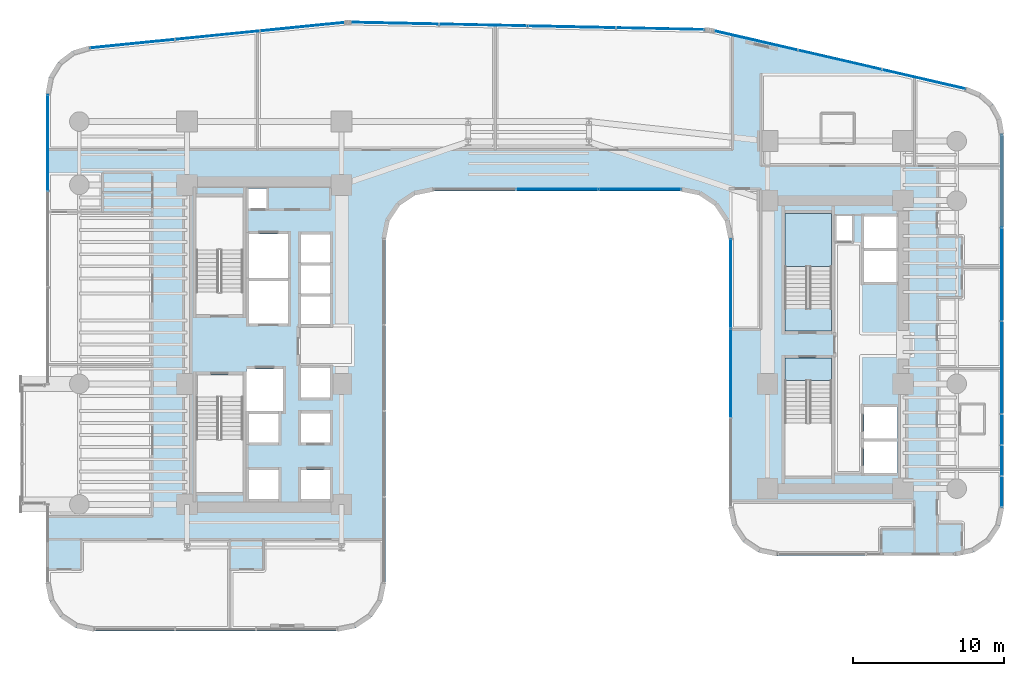
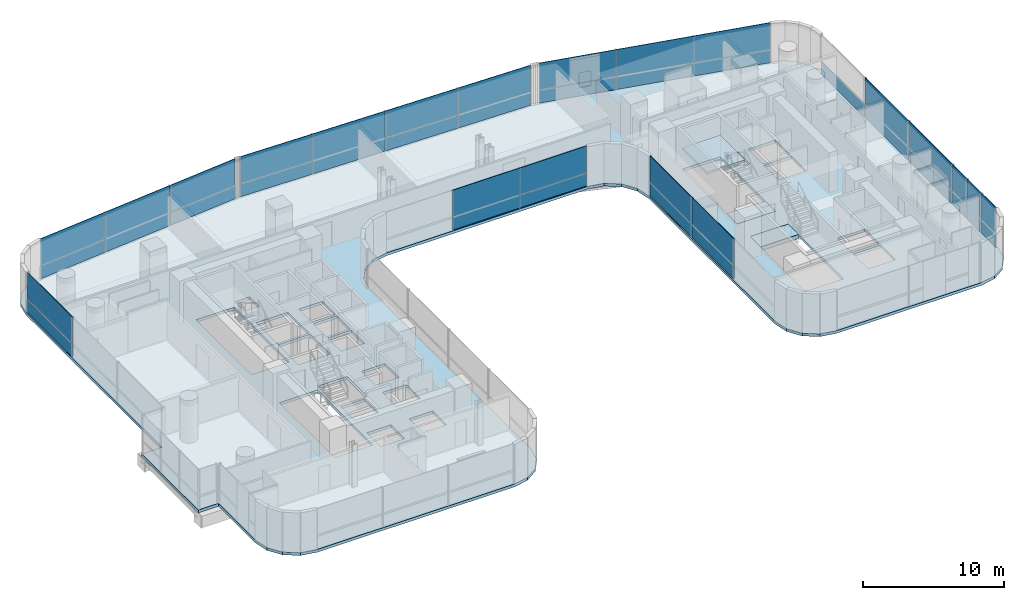
# One storey, part 29 of 40: 31 plates, 4 slabs, 8 elements without a shape of their own.
"""IFC4 building model written with IfcOpenShell, lengths in metres."""

import ifcopenshell
import ifcopenshell.guid

model = None  # the IFC model being written
_history = None  # IfcOwnerHistory: only IFC2X3 demands one
_inside = {}  # id of a spatial element -> (the spatial element, [elements in it])
_under = {}  # id of a project, library or spatial element -> (it, [spatial elements below it])
_declared = {}  # id of a project -> (the project, [libraries it declares])
_typed = {}  # id of a type object -> (the type object, [elements of that type])
_made_of = {}  # id of a material, layer set ... -> (it, [elements and type objects made of it])


def new_model(schema):
    """Start an empty IFC model of exactly this schema.

    Asked for "IFC4X3", IfcOpenShell would pick the latest addendum, in which some entities
    have other attributes; the version numbers below select the first issue.
    IFC2X3 requires an IfcOwnerHistory on every rooted entity: one is made here for all.
    """
    global model, _history
    if schema == "IFC4X3":
        model = ifcopenshell.file(schema_version=(4, 3, 0, 0))
    else:
        model = ifcopenshell.file(schema=schema)
    _inside.clear()
    _under.clear()
    _declared.clear()
    _typed.clear()
    _made_of.clear()
    _history = None
    if model.schema == "IFC2X3":
        org = make("IfcOrganization", Name="unknown")
        user = make(
            "IfcPersonAndOrganization",
            ThePerson=make("IfcPerson", FamilyName="unknown"),
            TheOrganization=org,
        )
        app = make(
            "IfcApplication",
            ApplicationDeveloper=org,
            Version="unknown",
            ApplicationFullName="unknown",
            ApplicationIdentifier="unknown",
        )
        _history = make(
            "IfcOwnerHistory",
            OwningUser=user,
            OwningApplication=app,
            ChangeAction="ADDED",
            CreationDate=0,
        )
    return model


def make(cls, **values):
    """One entity of the class cls with the attributes given. An attribute that is None is left unset."""
    return model.create_entity(
        cls, **{name: value for name, value in values.items() if value is not None}
    )


def rooted(cls, **values):
    """An entity with a GlobalId (a new one), such as an element, a storey or a relation."""
    return make(cls, GlobalId=ifcopenshell.guid.new(), OwnerHistory=_history, **values)


def si_unit(unit_type, name, prefix=None):
    """IfcSIUnit, for example si_unit("LENGTHUNIT", "METRE", prefix="MILLI")."""
    return make("IfcSIUnit", UnitType=unit_type, Prefix=prefix, Name=name)


def assignment(units):
    """IfcUnitAssignment: the units of a project."""
    return None if units is None else make("IfcUnitAssignment", Units=units)


def point(xyz):
    """IfcCartesianPoint."""
    return None if xyz is None else make("IfcCartesianPoint", Coordinates=xyz)


def direction(xyz):
    """IfcDirection."""
    return None if xyz is None else make("IfcDirection", DirectionRatios=xyz)


def frame(location, z_axis=None, x_axis=None):
    """IfcAxis2Placement3D, a coordinate frame: its origin and axes. An axis left out is left unset."""
    return make(
        "IfcAxis2Placement3D",
        Location=point(location),
        Axis=direction(z_axis),
        RefDirection=direction(x_axis),
    )


def frame_2d(location, x_axis=None):
    """IfcAxis2Placement2D, a coordinate frame in the plane: its origin and x axis."""
    return make(
        "IfcAxis2Placement2D", Location=point(location), RefDirection=direction(x_axis)
    )


def origin():
    """The frame at (0, 0, 0) with its axes left unset."""
    return frame((0.0, 0.0, 0.0))


def origin_2d():
    """The frame at (0, 0) in the plane with its x axis left unset."""
    return frame_2d((0.0, 0.0))


def place(relative_to, where):
    """IfcLocalPlacement: puts the frame where relative to a parent placement (None: the world)."""
    return make(
        "IfcLocalPlacement", PlacementRelTo=relative_to, RelativePlacement=where
    )


def context(
    kind, dimensions, precision=None, world=None, true_north=None, identifier=None
):
    """IfcGeometricRepresentationContext, for example the 3D "Model" context."""
    return make(
        "IfcGeometricRepresentationContext",
        ContextIdentifier=identifier,
        ContextType=kind,
        CoordinateSpaceDimension=dimensions,
        Precision=precision,
        WorldCoordinateSystem=world,
        TrueNorth=true_north,
    )


def subcontext(parent, identifier, kind, view, scale=None):
    """IfcGeometricRepresentationSubContext, for example "Body" below "Model"."""
    return make(
        "IfcGeometricRepresentationSubContext",
        ContextIdentifier=identifier,
        ContextType=kind,
        ParentContext=parent,
        TargetScale=scale,
        TargetView=view,
    )


def project(units=None, contexts=None):
    """IfcProject with its units and contexts."""
    return rooted(
        "IfcProject",
        Name="project",
        RepresentationContexts=contexts,
        UnitsInContext=assignment(units),
    )


def spatial(cls, under=None, at=None, **own):
    """A site, building, storey or space (cls), placed at a placement, below another one or the project."""
    s = rooted(cls, ObjectPlacement=at, **own)
    if under is not None:
        _under.setdefault(under.id(), (under, []))[1].append(s)
    return s


def polyline(points):
    """IfcPolyline through the points."""
    return make("IfcPolyline", Points=[point(p) for p in points])


def profile(cls, at=None, kind="AREA", **sizes):
    """A parametric profile (cls). Its sizes go by their IFC names, for example OverallWidth=200.0."""
    return make(cls, ProfileType=kind, Position=at, **sizes)


def rectangle(**sizes):
    """IfcRectangleProfileDef."""
    return profile("IfcRectangleProfileDef", **sizes)


def outline(outer, holes=None, kind="AREA"):
    """IfcArbitraryClosedProfileDef: a profile drawn as a closed curve; with holes, ...WithVoids."""
    if holes is None:
        return make("IfcArbitraryClosedProfileDef", ProfileType=kind, OuterCurve=outer)
    return make(
        "IfcArbitraryProfileDefWithVoids",
        ProfileType=kind,
        OuterCurve=outer,
        InnerCurves=holes,
    )


def extrude(swept, where, along, depth):
    """IfcExtrudedAreaSolid: the profile swept, set in the frame where, extruded along a direction by depth."""
    return make(
        "IfcExtrudedAreaSolid",
        SweptArea=swept,
        Position=where,
        ExtrudedDirection=direction(along),
        Depth=depth,
    )


def shape(context_of_items, identifier, shape_type, items):
    """IfcShapeRepresentation: the items that make up one representation, for example the "Body"."""
    return make(
        "IfcShapeRepresentation",
        ContextOfItems=context_of_items,
        RepresentationIdentifier=identifier,
        RepresentationType=shape_type,
        Items=items,
    )


def source(mapping_origin, context_of_items, identifier, shape_type, items):
    """IfcRepresentationMap: a shape defined once, which mapped items show again and again."""
    return make(
        "IfcRepresentationMap",
        MappingOrigin=mapping_origin,
        MappedRepresentation=shape(context_of_items, identifier, shape_type, items),
    )


def transform(
    local_origin,
    x_axis=None,
    y_axis=None,
    z_axis=None,
    scale=None,
    scale2=None,
    scale3=None,
    uniform=True,
):
    """IfcCartesianTransformationOperator3D, or its non-uniform kind. x_axis, y_axis, z_axis: its Axis1, 2, 3."""
    if uniform:
        return make(
            "IfcCartesianTransformationOperator3D",
            Axis1=direction(x_axis),
            Axis2=direction(y_axis),
            LocalOrigin=point(local_origin),
            Scale=scale,
            Axis3=direction(z_axis),
        )
    return make(
        "IfcCartesianTransformationOperator3DnonUniform",
        Axis1=direction(x_axis),
        Axis2=direction(y_axis),
        LocalOrigin=point(local_origin),
        Scale=scale,
        Axis3=direction(z_axis),
        Scale2=scale2,
        Scale3=scale3,
    )


def mapped(mapping_source, mapping_target):
    """IfcMappedItem: shows the shape of a source again, moved by a transform."""
    return make(
        "IfcMappedItem", MappingSource=mapping_source, MappingTarget=mapping_target
    )


def material(Name=None, Category=None):
    """IfcMaterial."""
    return make("IfcMaterial", Name=Name, Category=Category)


def layer(
    of_material, thickness, ventilated=None, Name=None, Category=None, Priority=None
):
    """IfcMaterialLayer: one layer of a wall or slab, of a material (None: an air gap)."""
    return make(
        "IfcMaterialLayer",
        Material=of_material,
        LayerThickness=thickness,
        IsVentilated=ventilated,
        Name=Name,
        Category=Category,
        Priority=Priority,
    )


def layer_set(layers, Name=None):
    """IfcMaterialLayerSet."""
    return make("IfcMaterialLayerSet", MaterialLayers=layers, LayerSetName=Name)


def made_of(thing, what):
    """Note that an element or type object is made of a material, layer set ...; save() writes the relation."""
    if what is not None:
        _made_of.setdefault(what.id(), (what, []))[1].append(thing)
    return thing


def type_object(cls, material=None, **own):
    """A type object (cls), such as IfcWallType, which elements share."""
    return made_of(rooted(cls, **own), material)


def element(
    cls,
    number,
    at=None,
    inside=None,
    cuts=None,
    type_object=None,
    material=None,
    context=None,
    identifier="Body",
    shape_type=None,
    held_by="IfcProductDefinitionShape",
    body=None,
    shapes=None,
    **own,
):
    """One element of the class cls, such as IfcWall. Its Tag is "e" and its number.

    at: its placement. inside: the storey or other place that contains it. cuts: it is an
    opening in that element (IfcRelVoidsElement). A single representation is given by context,
    identifier, shape_type and body (its items); several are given by shapes. held_by: the class
    of the entity that holds the representations. save() writes the other relations.
    """
    e = rooted(cls, Tag="e%d" % number, ObjectPlacement=at, **own)
    if body is not None:
        shapes = [shape(context, identifier, shape_type, body)]
    if shapes is not None:
        e.Representation = make(held_by, Representations=shapes)
    if inside is not None:
        _inside.setdefault(inside.id(), (inside, []))[1].append(e)
    if cuts is not None:
        rooted(
            "IfcRelVoidsElement", RelatingBuildingElement=cuts, RelatedOpeningElement=e
        )
    if type_object is not None:
        _typed.setdefault(type_object.id(), (type_object, []))[1].append(e)
    return made_of(e, material)


def aggregate(whole, parts):
    """IfcRelAggregates: a whole, such as a stair, and the parts it consists of."""
    return rooted("IfcRelAggregates", RelatingObject=whole, RelatedObjects=parts)


def save(model, path):
    """Write the relations noted so far, then the file.

    IfcRelAggregates (storeys below a building ...), IfcRelContainedInSpatialStructure (elements
    in a storey), IfcRelDefinesByType, IfcRelAssociatesMaterial and IfcRelDeclares: one each for
    every whole, place, type object, material and project.
    """
    for whole, parts in _under.values():
        aggregate(whole, parts)
    for where, things in _inside.values():
        rooted(
            "IfcRelContainedInSpatialStructure",
            RelatedElements=things,
            RelatingStructure=where,
        )
    for kind, things in _typed.values():
        rooted("IfcRelDefinesByType", RelatedObjects=things, RelatingType=kind)
    for what, things in _made_of.values():
        rooted("IfcRelAssociatesMaterial", RelatedObjects=things, RelatingMaterial=what)
    for by, libraries in _declared.values():
        rooted("IfcRelDeclares", RelatingContext=by, RelatedDefinitions=libraries)
    model.write(path)


model = new_model("IFC4")

# Units and contexts
model_context = context("Model", 3, precision=1e-05, world=origin(), true_north=direction((0.0, 1.0)))
body_context = subcontext(model_context, "Body", "Model", "MODEL_VIEW")
ifc_project = project(units=[si_unit("LENGTHUNIT", "METRE"), si_unit("AREAUNIT", "SQUARE_METRE"), si_unit("VOLUMEUNIT", "CUBIC_METRE"), si_unit("PLANEANGLEUNIT", "RADIAN"), si_unit("MASSUNIT", "GRAM", prefix="KILO")], contexts=[model_context])

# Site, building, storey
site_placement = place(None, origin())
site = spatial("IfcSite", under=ifc_project, at=site_placement, CompositionType="ELEMENT")
building_placement = place(site_placement, origin())
building = spatial("IfcBuilding", under=site, at=building_placement, Name="Valdorenza Pilgrim Sanctuary Tower", CompositionType="ELEMENT")
storey_placement = place(building_placement, frame((0.0, 0.0, 66.699951171875)))
storey = spatial("IfcBuildingStorey", under=building, at=storey_placement, Name="L16", CompositionType="ELEMENT", Elevation=66.699951171875)

# Slab
ifc_material_1 = material(Name="Concrete C40/50", Category="concrete")
ifc_layer_1 = layer(ifc_material_1, 0.239990234375, Name="Concrete C40/50")
ifc_layer_set_1 = layer_set([ifc_layer_1], Name="Concrete C40/50")
slab_type_1 = type_object("IfcSlabType", Name="SLAB-FLR-220", PredefinedType="FLOOR", material=ifc_layer_set_1)
slab_1_placement = place(storey_placement, frame((0.0, 0.0, -0.239990234375)))
element("IfcSlab", 1, at=slab_1_placement, inside=storey, type_object=slab_type_1, Name="L16 Structural Floor Slab 1", PredefinedType="FLOOR", context=body_context, shape_type="SweptSolid", body=[
    extrude(outline(polyline([(-33.64990234375, -2.60009765625), (-32.0, -2.60009765625), (-32.0, 16.60400390625), (-31.785888671875, 17.754638671875), (-31.172607421875, 18.751220703125), (-30.241943359375, 19.460693359375), (-29.118408203125, 19.7880859375), (-12.192138671875, 21.480712890625), (-11.999755859375, 21.494140625), (-11.806884765625, 21.49609375), (11.66943359375, 21.0068359375), (11.833984375, 20.999267578125), (11.997802734375, 20.983154296875), (12.160888671875, 20.95849609375), (12.322265625, 20.925537109375), (29.01953125, 17.072509765625), (30.00732421875, 16.660888671875), (30.80419921875, 15.946533203125), (31.321044921875, 15.009521484375), (31.5, 13.954345703125), (31.5, -10.800048828125), (31.25634765625, -12.024658203125), (30.562744140625, -13.062744140625), (29.524658203125, -13.75634765625), (28.300048828125, -14.0), (16.5, -14.0), (15.275390625, -13.75634765625), (14.2373046875, -13.062744140625), (13.543701171875, -12.024658203125), (13.300048828125, -10.800048828125), (13.300048828125, 7.0), (13.056396484375, 8.224609375), (12.36279296875, 9.2626953125), (11.32470703125, 9.956298828125), (10.10009765625, 10.199951171875), (-6.300048828125, 10.199951171875), (-7.524658203125, 9.956298828125), (-8.562744140625, 9.2626953125), (-9.25634765625, 8.224609375), (-9.5, 7.0), (-9.5, -15.800048828125), (-9.74365234375, -17.024658203125), (-10.437255859375, -18.062744140625), (-11.475341796875, -18.75634765625), (-12.699951171875, -19.0), (-28.800048828125, -19.0), (-30.024658203125, -18.75634765625), (-31.062744140625, -18.062744140625), (-31.75634765625, -17.024658203125), (-32.0, -15.800048828125), (-32.0, -10.60009765625), (-33.64990234375, -10.60009765625), (-33.64990234375, -2.60009765625)]), holes=[polyline([(-16.60009765625, -10.25), (-16.60009765625, -8.300048828125), (-18.550048828125, -8.300048828125), (-18.550048828125, -10.25), (-16.60009765625, -10.25)]), polyline([(-22.050048828125, -9.800048828125), (-18.93994140625, -9.800048828125), (-18.93994140625, -3.485107421875), (-18.93994140625, -2.0), (-22.050048828125, -2.0), (-22.050048828125, -3.485107421875), (-22.050048828125, -9.800048828125)]), polyline([(-18.550048828125, -6.5), (-16.60009765625, -6.5), (-16.60009765625, -4.60009765625), (-18.550048828125, -4.60009765625), (-18.550048828125, -6.5)]), polyline([(-13.179931640625, -6.5), (-13.179931640625, -4.550048828125), (-15.10009765625, -4.550048828125), (-15.10009765625, -6.5), (-13.179931640625, -6.5)]), polyline([(-18.719970703125, -4.39990234375), (-16.300048828125, -4.39990234375), (-16.300048828125, -1.60009765625), (-18.719970703125, -1.60009765625), (-18.719970703125, -4.39990234375)]), polyline([(-13.179931640625, -3.5), (-13.179931640625, -1.550048828125), (-15.10009765625, -1.550048828125), (-15.10009765625, -3.5), (-13.179931640625, -3.5)]), polyline([(-22.050048828125, 2.0), (-18.93994140625, 2.0), (-18.93994140625, 3.485107421875), (-18.93994140625, 9.800048828125), (-22.050048828125, 9.800048828125), (-22.050048828125, 3.485107421875), (-22.050048828125, 2.0)]), polyline([(-18.550048828125, 1.39990234375), (-15.949951171875, 1.39990234375), (-15.949951171875, 4.22509765625), (-18.550048828125, 4.22509765625), (-18.550048828125, 1.39990234375)]), polyline([(-15.949951171875, 4.425048828125), (-15.949951171875, 7.35009765625), (-18.550048828125, 7.35009765625), (-18.550048828125, 4.425048828125), (-15.949951171875, 4.425048828125)]), polyline([(-15.10009765625, 5.449951171875), (-13.179931640625, 5.449951171875), (-13.179931640625, 7.300048828125), (-15.10009765625, 7.300048828125), (-15.10009765625, 5.449951171875)]), polyline([(-17.360107421875, 9.030029296875), (-17.360107421875, 10.35009765625), (-18.570068359375, 10.35009765625), (-18.570068359375, 9.030029296875), (-17.360107421875, 9.030029296875)]), polyline([(-15.10009765625, -10.25), (-13.179931640625, -10.25), (-13.179931640625, -8.300048828125), (-15.10009765625, -8.300048828125), (-15.10009765625, -10.25)]), polyline([(22.25, -8.5), (24.47998046875, -8.5), (24.47998046875, -6.425048828125), (22.25, -6.425048828125), (22.25, -8.5)]), polyline([(17.0, -2.385009765625), (17.0, -8.699951171875), (20.110107421875, -8.699951171875), (20.110107421875, -2.385009765625), (20.110107421875, -0.89990234375), (17.0, -0.89990234375), (17.0, -2.385009765625)]), polyline([(22.25, -6.22509765625), (24.47998046875, -6.22509765625), (24.47998046875, -4.14990234375), (22.25, -4.14990234375), (22.25, -6.22509765625)]), polyline([(17.0, 0.89990234375), (20.110107421875, 0.89990234375), (20.110107421875, 2.385009765625), (20.110107421875, 8.699951171875), (17.0, 8.699951171875), (17.0, 2.385009765625), (17.0, 0.89990234375)]), polyline([(-15.10009765625, 1.35009765625), (-13.179931640625, 1.35009765625), (-13.179931640625, 3.199951171875), (-15.10009765625, 3.199951171875), (-15.10009765625, 1.35009765625)]), polyline([(-15.10009765625, 3.39990234375), (-13.179931640625, 3.39990234375), (-13.179931640625, 5.25), (-15.10009765625, 5.25), (-15.10009765625, 3.39990234375)]), polyline([(22.25, 4.14990234375), (24.47998046875, 4.14990234375), (24.47998046875, 6.22509765625), (22.25, 6.22509765625), (22.25, 4.14990234375)]), polyline([(22.25, 6.425048828125), (24.47998046875, 6.425048828125), (24.47998046875, 8.5), (22.25, 8.5), (22.25, 6.425048828125)]), polyline([(20.409912109375, 6.860107421875), (21.489990234375, 6.860107421875), (21.489990234375, 8.52001953125), (20.409912109375, 8.52001953125), (20.409912109375, 6.860107421875)])]), origin(), (0.0, 0.0, 1.0), 0.239990234375),
])

# Stair, slab
stair_type = type_object("IfcStairType", Name="STR-DOG-CORE", PredefinedType="HALF_TURN_STAIR", material=ifc_material_1)
stair_placement = place(storey_placement, origin())
stair = element("IfcStair", 2, at=stair_placement, inside=storey, type_object=stair_type, Name="L16 ST-B1", PredefinedType="HALF_TURN_STAIR")
ifc_layer_2 = layer(ifc_material_1, 0.199951171875, Name="Concrete C40/50")
ifc_layer_set_2 = layer_set([ifc_layer_2], Name="Concrete C40/50")
slab_type_2 = type_object("IfcSlabType", Name="SLAB-STL-200", PredefinedType="LANDING", material=ifc_layer_set_2)
slab_2_placement = place(storey_placement, frame((0.0, 0.0, 1.650146484375)))
slab_2 = element("IfcSlab", 3, at=slab_2_placement, type_object=slab_type_2, Name="ST-B1 landing 1", PredefinedType="LANDING", context=body_context, shape_type="SweptSolid", body=[
    extrude(outline(polyline([(20.110107421875, 5.179931640625), (20.110107421875, 8.699951171875), (17.0, 8.699951171875), (17.0, 5.179931640625), (20.110107421875, 5.179931640625)])), origin(), (0.0, 0.0, 1.0), 0.199951171875),
])
aggregate(stair, [slab_2])

# Slabs
ifc_material_2 = material(Name="Concrete C50/60", Category="concrete")
ifc_layer_3 = layer(ifc_material_2, 0.39990234375, Name="Concrete C50/60")
ifc_layer_set_3 = layer_set([ifc_layer_3], Name="Concrete C50/60")
slab_type_3 = type_object("IfcSlabType", Name="SLAB-TRF-400", PredefinedType="FLOOR", material=ifc_layer_set_3)
slab_3_placement = place(storey_placement, frame((0.0, 0.0, -0.35986328125)))
element("IfcSlab", 4, at=slab_3_placement, inside=storey, type_object=slab_type_3, Name="L16 ST-B1 Structural Stair Landing Bearing Slab", PredefinedType="FLOOR", context=body_context, shape_type="SweptSolid", body=[
    extrude(outline(polyline([(17.0, 0.89990234375), (20.110107421875, 0.89990234375), (20.110107421875, 2.385009765625), (17.0, 2.385009765625), (17.0, 0.89990234375)])), origin(), (0.0, 0.0, 1.0), 0.35986328125),
])
slab_4_placement = place(storey_placement, frame((0.0, 0.0, -0.35986328125)))
element("IfcSlab", 5, at=slab_4_placement, inside=storey, type_object=slab_type_3, Name="L16 ST-B2 Structural Stair Landing Bearing Slab", PredefinedType="FLOOR", context=body_context, shape_type="SweptSolid", body=[
    extrude(outline(polyline([(17.0, -2.385009765625), (20.110107421875, -2.385009765625), (20.110107421875, -0.89990234375), (17.0, -0.89990234375), (17.0, -2.385009765625)])), origin(), (0.0, 0.0, 1.0), 0.35986328125),
])

# Curtain wall, plates
ifc_material_3 = material(Name="Curtain-wall IGU glazing", Category="glass")
curtain_wall_type_1 = type_object("IfcCurtainWallType", Name="CW-SYS-02", PredefinedType="NOTDEFINED", material=ifc_material_3)
curtain_wall_1_placement = place(storey_placement, origin())
curtain_wall_1 = element("IfcCurtainWall", 6, at=curtain_wall_1_placement, inside=storey, type_object=curtain_wall_type_1, Name="L16 Curtain Wall CW-L16-1-1S2", PredefinedType="NOTDEFINED")
ifc_material_4 = material(Name="Honed travertine limestone", Category="masonry")
ifc_layer_4 = layer(ifc_material_4, 0.050048828125, Name="Honed travertine limestone")
ifc_layer_set_4 = layer_set([ifc_layer_4], Name="Honed travertine limestone")
plate_type_1 = type_object("IfcPlateType", Name="CW-SPN-TRV", PredefinedType="USERDEFINED", material=ifc_layer_set_4)
shared_shape_1 = source(origin(), body_context, "Body", "SweptSolid", [
    extrude(rectangle(XDim=6.3779296875, YDim=0.06005859375, at=origin_2d()), origin(), (0.0, 0.0, 1.0), 1.10009765625),
])
plate_1_placement = place(storey_placement, frame((-31.889892578125, 13.39501953125, 0.010009765625), z_axis=(0.0, 0.0, 1.0), x_axis=(0.0, 1.0, 0.0)))
plate_1 = element("IfcPlate", 7, at=plate_1_placement, type_object=plate_type_1, Name="CW-L16-1-1S2 Travertine Spandrel 3", ObjectType="SPANDREL", PredefinedType="USERDEFINED", context=body_context, shape_type="MappedRepresentation", body=[
    mapped(shared_shape_1, transform((0.0, 0.0, 0.0), x_axis=(1.0, 0.0, 0.0), y_axis=(0.0, 1.0, 0.0), z_axis=(0.0, 0.0, 1.0), scale=1.0)),
])
ifc_material_5 = material(Name="Ceramic-fritted low-E IGU glazing", Category="glass")
ifc_layer_5 = layer(ifc_material_5, 0.035888671875, Name="Ceramic-fritted low-E IGU glazing")
ifc_layer_set_5 = layer_set([ifc_layer_5], Name="Ceramic-fritted low-E IGU glazing")
plate_type_2 = type_object("IfcPlateType", Name="CW-GLZ-IGU", PredefinedType="USERDEFINED", material=ifc_layer_set_5)
shared_shape_2 = source(origin(), body_context, "Body", "SweptSolid", [
    extrude(rectangle(XDim=6.3779296875, YDim=0.050048828125, at=origin_2d()), origin(), (0.0, 0.0, 1.0), 2.320068359375),
])
plate_2_placement = place(storey_placement, frame((-31.889892578125, 13.39501953125, 1.1298828125), z_axis=(0.0, 0.0, 1.0), x_axis=(0.0, 1.0, 0.0)))
plate_2 = element("IfcPlate", 8, at=plate_2_placement, type_object=plate_type_2, Name="CW-L16-1-1S2 Facade Panel 3", ObjectType="GLAZING", PredefinedType="USERDEFINED", context=body_context, shape_type="MappedRepresentation", body=[
    mapped(shared_shape_2, transform((0.0, 0.0, 0.0), x_axis=(1.0, 0.0, 0.0), y_axis=(0.0, 1.0, 0.0), z_axis=(0.0, 0.0, 1.0), scale=1.0)),
])
aggregate(curtain_wall_1, [plate_1, plate_2])

curtain_wall_2_placement = place(storey_placement, origin())
curtain_wall_2 = element("IfcCurtainWall", 9, at=curtain_wall_2_placement, inside=storey, type_object=curtain_wall_type_1, Name="L16 Curtain Wall CW-L16-1-6", PredefinedType="NOTDEFINED")
shared_shape_3 = source(origin(), body_context, "Body", "SweptSolid", [
    extrude(rectangle(XDim=5.646484375, YDim=0.06005859375, at=origin_2d()), origin(), (0.0, 0.0, 1.0), 1.10009765625),
])
plate_3_placement = place(storey_placement, frame((-26.2783203125, 19.961669921875, 0.010009765625), z_axis=(0.0, 0.0, 1.0), x_axis=(0.995038220239, 0.099493418189, 0.0)))
plate_3 = element("IfcPlate", 10, at=plate_3_placement, type_object=plate_type_1, Name="CW-L16-1-6 Travertine Spandrel 1", ObjectType="SPANDREL", PredefinedType="USERDEFINED", context=body_context, shape_type="MappedRepresentation", body=[
    mapped(shared_shape_3, transform((0.0, 0.0, 0.0), x_axis=(1.0, 0.0, 0.0), y_axis=(0.0, 1.0, 0.0), z_axis=(0.0, 0.0, 1.0), scale=1.0)),
])
plate_4_placement = place(storey_placement, frame((-15.001220703125, 21.08935546875, 0.010009765625), z_axis=(0.0, 0.0, 1.0), x_axis=(0.995038220239, 0.099493418189, 0.0)))
plate_4 = element("IfcPlate", 11, at=plate_4_placement, type_object=plate_type_1, Name="CW-L16-1-6 Travertine Spandrel 3", ObjectType="SPANDREL", PredefinedType="USERDEFINED", context=body_context, shape_type="MappedRepresentation", body=[
    mapped(shared_shape_3, transform((0.0, 0.0, 0.0), x_axis=(1.0, 0.0, 0.0), y_axis=(0.0, 1.0, 0.0), z_axis=(0.0, 0.0, 1.0), scale=1.0)),
])
shared_shape_4 = source(origin(), body_context, "Body", "SweptSolid", [
    extrude(rectangle(XDim=5.646484375, YDim=0.050048828125, at=origin_2d()), origin(), (0.0, 0.0, 1.0), 2.320068359375),
])
plate_5_placement = place(storey_placement, frame((-26.2783203125, 19.961669921875, 1.1298828125), z_axis=(0.0, 0.0, 1.0), x_axis=(0.995038220239, 0.099493418189, 0.0)))
plate_5 = element("IfcPlate", 12, at=plate_5_placement, type_object=plate_type_2, Name="CW-L16-1-6 Facade Panel 1", ObjectType="GLAZING", PredefinedType="USERDEFINED", context=body_context, shape_type="MappedRepresentation", body=[
    mapped(shared_shape_4, transform((0.0, 0.0, 0.0), x_axis=(1.0, 0.0, 0.0), y_axis=(0.0, 1.0, 0.0), z_axis=(0.0, 0.0, 1.0), scale=1.0)),
])
plate_6_placement = place(storey_placement, frame((-15.001220703125, 21.08935546875, 1.1298828125), z_axis=(0.0, 0.0, 1.0), x_axis=(0.995038220239, 0.099493418189, 0.0)))
plate_6 = element("IfcPlate", 13, at=plate_6_placement, type_object=plate_type_2, Name="CW-L16-1-6 Facade Panel 3", ObjectType="GLAZING", PredefinedType="USERDEFINED", context=body_context, shape_type="MappedRepresentation", body=[
    mapped(shared_shape_4, transform((0.0, 0.0, 0.0), x_axis=(1.0, 0.0, 0.0), y_axis=(0.0, 1.0, 0.0), z_axis=(0.0, 0.0, 1.0), scale=1.0)),
])
shared_shape_5 = source(origin(), body_context, "Body", "SweptSolid", [
    extrude(rectangle(XDim=5.646484375, YDim=0.050048828125, at=origin_2d()), origin(), (0.0, 0.0, 1.0), 3.43994140625),
])
plate_7_placement = place(storey_placement, frame((-20.6396484375, 20.525634765625, 0.010009765625), z_axis=(0.0, 0.0, 1.0), x_axis=(0.995038220239, 0.099493418189, 0.0)))
plate_7 = element("IfcPlate", 14, at=plate_7_placement, type_object=plate_type_2, Name="CW-L16-1-6 Full-Height Facade Panel 2", ObjectType="GLAZING", PredefinedType="USERDEFINED", context=body_context, shape_type="MappedRepresentation", body=[
    mapped(shared_shape_5, transform((0.0, 0.0, 0.0), x_axis=(1.0, 0.0, 0.0), y_axis=(0.0, 1.0, 0.0), z_axis=(0.0, 0.0, 1.0), scale=1.0)),
])
aggregate(curtain_wall_2, [plate_3, plate_5, plate_7, plate_4, plate_6])

curtain_wall_3_placement = place(storey_placement, origin())
curtain_wall_3 = element("IfcCurtainWall", 15, at=curtain_wall_3_placement, inside=storey, type_object=curtain_wall_type_1, Name="L16 Curtain Wall CW-L16-1-11", PredefinedType="NOTDEFINED")
shared_shape_6 = source(origin(), body_context, "Body", "SweptSolid", [
    extrude(rectangle(XDim=5.849853515625, YDim=0.06005859375, at=origin_2d()), origin(), (0.0, 0.0, 1.0), 1.10009765625),
])
plate_8_placement = place(storey_placement, frame((-8.8740234375, 21.324951171875, 0.010009765625), z_axis=(0.0, 0.0, 1.0), x_axis=(0.999783234613, -0.020820273474, 0.0)))
plate_8 = element("IfcPlate", 16, at=plate_8_placement, type_object=plate_type_1, Name="CW-L16-1-11 Travertine Spandrel 1", ObjectType="SPANDREL", PredefinedType="USERDEFINED", context=body_context, shape_type="MappedRepresentation", body=[
    mapped(shared_shape_6, transform((0.0, 0.0, 0.0), x_axis=(1.0, 0.0, 0.0), y_axis=(0.0, 1.0, 0.0), z_axis=(0.0, 0.0, 1.0), scale=1.0)),
])
plate_9_placement = place(storey_placement, frame((2.86279296875, 21.080322265625, 0.010009765625), z_axis=(0.0, 0.0, 1.0), x_axis=(0.999783234613, -0.020820273474, 0.0)))
plate_9 = element("IfcPlate", 17, at=plate_9_placement, type_object=plate_type_1, Name="CW-L16-1-11 Travertine Spandrel 3", ObjectType="SPANDREL", PredefinedType="USERDEFINED", context=body_context, shape_type="MappedRepresentation", body=[
    mapped(shared_shape_6, transform((0.0, 0.0, 0.0), x_axis=(1.0, 0.0, 0.0), y_axis=(0.0, 1.0, 0.0), z_axis=(0.0, 0.0, 1.0), scale=1.0)),
])
shared_shape_7 = source(origin(), body_context, "Body", "SweptSolid", [
    extrude(rectangle(XDim=5.849853515625, YDim=0.050048828125, at=origin_2d()), origin(), (0.0, 0.0, 1.0), 2.320068359375),
])
plate_10_placement = place(storey_placement, frame((-8.8740234375, 21.324951171875, 1.1298828125), z_axis=(0.0, 0.0, 1.0), x_axis=(0.999783234613, -0.020820273474, 0.0)))
plate_10 = element("IfcPlate", 18, at=plate_10_placement, type_object=plate_type_2, Name="CW-L16-1-11 Facade Panel 1", ObjectType="GLAZING", PredefinedType="USERDEFINED", context=body_context, shape_type="MappedRepresentation", body=[
    mapped(shared_shape_7, transform((0.0, 0.0, 0.0), x_axis=(1.0, 0.0, 0.0), y_axis=(0.0, 1.0, 0.0), z_axis=(0.0, 0.0, 1.0), scale=1.0)),
])
plate_11_placement = place(storey_placement, frame((2.86279296875, 21.080322265625, 1.1298828125), z_axis=(0.0, 0.0, 1.0), x_axis=(0.999783234613, -0.020820273474, 0.0)))
plate_11 = element("IfcPlate", 19, at=plate_11_placement, type_object=plate_type_2, Name="CW-L16-1-11 Facade Panel 3", ObjectType="GLAZING", PredefinedType="USERDEFINED", context=body_context, shape_type="MappedRepresentation", body=[
    mapped(shared_shape_7, transform((0.0, 0.0, 0.0), x_axis=(1.0, 0.0, 0.0), y_axis=(0.0, 1.0, 0.0), z_axis=(0.0, 0.0, 1.0), scale=1.0)),
])
shared_shape_8 = source(origin(), body_context, "Body", "SweptSolid", [
    extrude(rectangle(XDim=5.849853515625, YDim=0.050048828125, at=origin_2d()), origin(), (0.0, 0.0, 1.0), 3.43994140625),
])
plate_12_placement = place(storey_placement, frame((-3.005615234375, 21.20263671875, 0.010009765625), z_axis=(0.0, 0.0, 1.0), x_axis=(0.999783234613, -0.020820273474, 0.0)))
plate_12 = element("IfcPlate", 20, at=plate_12_placement, type_object=plate_type_2, Name="CW-L16-1-11 Full-Height Facade Panel 2", ObjectType="GLAZING", PredefinedType="USERDEFINED", context=body_context, shape_type="MappedRepresentation", body=[
    mapped(shared_shape_8, transform((0.0, 0.0, 0.0), x_axis=(1.0, 0.0, 0.0), y_axis=(0.0, 1.0, 0.0), z_axis=(0.0, 0.0, 1.0), scale=1.0)),
])
plate_13_placement = place(storey_placement, frame((8.7314453125, 20.9580078125, 0.010009765625), z_axis=(0.0, 0.0, 1.0), x_axis=(0.999783234613, -0.020820273474, 0.0)))
plate_13 = element("IfcPlate", 21, at=plate_13_placement, type_object=plate_type_2, Name="CW-L16-1-11 Full-Height Facade Panel 4", ObjectType="GLAZING", PredefinedType="USERDEFINED", context=body_context, shape_type="MappedRepresentation", body=[
    mapped(shared_shape_8, transform((0.0, 0.0, 0.0), x_axis=(1.0, 0.0, 0.0), y_axis=(0.0, 1.0, 0.0), z_axis=(0.0, 0.0, 1.0), scale=1.0)),
])
aggregate(curtain_wall_3, [plate_8, plate_10, plate_12, plate_9, plate_11, plate_13])

curtain_wall_type_2 = type_object("IfcCurtainWallType", Name="CW-SYS-03", PredefinedType="NOTDEFINED", material=ifc_material_3)
curtain_wall_4_placement = place(storey_placement, origin())
curtain_wall_4 = element("IfcCurtainWall", 22, at=curtain_wall_4_placement, inside=storey, type_object=curtain_wall_type_2, Name="L16 Curtain Wall CW-L16-1-16", PredefinedType="NOTDEFINED")
shared_shape_9 = source(origin(), body_context, "Body", "SweptSolid", [
    extrude(rectangle(XDim=5.6884765625, YDim=0.06005859375, at=origin_2d()), origin(), (0.0, 0.0, 1.0), 1.10009765625),
])
plate_14_placement = place(storey_placement, frame((15.080078125, 20.17626953125, 0.010009765625), z_axis=(0.0, 0.0, 1.0), x_axis=(0.974389691758, -0.224866023659, 0.0)))
plate_14 = element("IfcPlate", 23, at=plate_14_placement, type_object=plate_type_1, Name="CW-L16-1-16 Travertine Spandrel 1", ObjectType="SPANDREL", PredefinedType="USERDEFINED", context=body_context, shape_type="MappedRepresentation", body=[
    mapped(shared_shape_9, transform((0.0, 0.0, 0.0), x_axis=(1.0, 0.0, 0.0), y_axis=(0.0, 1.0, 0.0), z_axis=(0.0, 0.0, 1.0), scale=1.0)),
])
plate_15_placement = place(storey_placement, frame((26.20458984375, 17.609130859375, 0.010009765625), z_axis=(0.0, 0.0, 1.0), x_axis=(0.974389691758, -0.224866023659, 0.0)))
plate_15 = element("IfcPlate", 24, at=plate_15_placement, type_object=plate_type_1, Name="CW-L16-1-16 Travertine Spandrel 3", ObjectType="SPANDREL", PredefinedType="USERDEFINED", context=body_context, shape_type="MappedRepresentation", body=[
    mapped(shared_shape_9, transform((0.0, 0.0, 0.0), x_axis=(1.0, 0.0, 0.0), y_axis=(0.0, 1.0, 0.0), z_axis=(0.0, 0.0, 1.0), scale=1.0)),
])
shared_shape_10 = source(origin(), body_context, "Body", "SweptSolid", [
    extrude(rectangle(XDim=5.6884765625, YDim=0.050048828125, at=origin_2d()), origin(), (0.0, 0.0, 1.0), 2.320068359375),
])
plate_16_placement = place(storey_placement, frame((15.080078125, 20.17626953125, 1.1298828125), z_axis=(0.0, 0.0, 1.0), x_axis=(0.974389691758, -0.224866023659, 0.0)))
plate_16 = element("IfcPlate", 25, at=plate_16_placement, type_object=plate_type_2, Name="CW-L16-1-16 Facade Panel 1", ObjectType="GLAZING", PredefinedType="USERDEFINED", context=body_context, shape_type="MappedRepresentation", body=[
    mapped(shared_shape_10, transform((0.0, 0.0, 0.0), x_axis=(1.0, 0.0, 0.0), y_axis=(0.0, 1.0, 0.0), z_axis=(0.0, 0.0, 1.0), scale=1.0)),
])
plate_17_placement = place(storey_placement, frame((26.20458984375, 17.609130859375, 1.1298828125), z_axis=(0.0, 0.0, 1.0), x_axis=(0.974389691758, -0.224866023659, 0.0)))
plate_17 = element("IfcPlate", 26, at=plate_17_placement, type_object=plate_type_2, Name="CW-L16-1-16 Facade Panel 3", ObjectType="GLAZING", PredefinedType="USERDEFINED", context=body_context, shape_type="MappedRepresentation", body=[
    mapped(shared_shape_10, transform((0.0, 0.0, 0.0), x_axis=(1.0, 0.0, 0.0), y_axis=(0.0, 1.0, 0.0), z_axis=(0.0, 0.0, 1.0), scale=1.0)),
])
shared_shape_11 = source(origin(), body_context, "Body", "SweptSolid", [
    extrude(rectangle(XDim=5.6884765625, YDim=0.050048828125, at=origin_2d()), origin(), (0.0, 0.0, 1.0), 3.43994140625),
])
plate_18_placement = place(storey_placement, frame((20.642333984375, 18.892578125, 0.010009765625), z_axis=(0.0, 0.0, 1.0), x_axis=(0.974389691758, -0.224866023659, 0.0)))
plate_18 = element("IfcPlate", 27, at=plate_18_placement, type_object=plate_type_2, Name="CW-L16-1-16 Full-Height Facade Panel 2", ObjectType="GLAZING", PredefinedType="USERDEFINED", context=body_context, shape_type="MappedRepresentation", body=[
    mapped(shared_shape_11, transform((0.0, 0.0, 0.0), x_axis=(1.0, 0.0, 0.0), y_axis=(0.0, 1.0, 0.0), z_axis=(0.0, 0.0, 1.0), scale=1.0)),
])
aggregate(curtain_wall_4, [plate_14, plate_16, plate_18, plate_15, plate_17])

curtain_wall_5_placement = place(storey_placement, origin())
curtain_wall_5 = element("IfcCurtainWall", 28, at=curtain_wall_5_placement, inside=storey, type_object=curtain_wall_type_2, Name="L16 Curtain Wall CW-L16-1-21", PredefinedType="NOTDEFINED")
shared_shape_12 = source(origin(), body_context, "Body", "SweptSolid", [
    extrude(rectangle(XDim=6.16357421875, YDim=0.06005859375, at=origin_2d()), origin(), (0.0, 0.0, 1.0), 1.10009765625),
])
plate_19_placement = place(storey_placement, frame((31.389892578125, 10.853271484375, 0.010009765625), z_axis=(0.0, 0.0, 1.0), x_axis=(0.0, -1.0, 0.0)))
plate_19 = element("IfcPlate", 29, at=plate_19_placement, type_object=plate_type_1, Name="CW-L16-1-21 Travertine Spandrel 1", ObjectType="SPANDREL", PredefinedType="USERDEFINED", context=body_context, shape_type="MappedRepresentation", body=[
    mapped(shared_shape_12, transform((0.0, 0.0, 0.0), x_axis=(1.0, 0.0, 0.0), y_axis=(0.0, 1.0, 0.0), z_axis=(0.0, 0.0, 1.0), scale=1.0)),
])
plate_20_placement = place(storey_placement, frame((31.389892578125, -1.513916015625, 0.010009765625), z_axis=(0.0, 0.0, 1.0), x_axis=(0.0, -1.0, 0.0)))
plate_20 = element("IfcPlate", 30, at=plate_20_placement, type_object=plate_type_1, Name="CW-L16-1-21 Travertine Spandrel 3", ObjectType="SPANDREL", PredefinedType="USERDEFINED", context=body_context, shape_type="MappedRepresentation", body=[
    mapped(shared_shape_12, transform((0.0, 0.0, 0.0), x_axis=(1.0, 0.0, 0.0), y_axis=(0.0, 1.0, 0.0), z_axis=(0.0, 0.0, 1.0), scale=1.0)),
])
shared_shape_13 = source(origin(), body_context, "Body", "SweptSolid", [
    extrude(rectangle(XDim=6.16357421875, YDim=0.050048828125, at=origin_2d()), origin(), (0.0, 0.0, 1.0), 2.320068359375),
])
plate_21_placement = place(storey_placement, frame((31.389892578125, -1.513916015625, 1.1298828125), z_axis=(0.0, 0.0, 1.0), x_axis=(0.0, -1.0, 0.0)))
plate_21 = element("IfcPlate", 31, at=plate_21_placement, type_object=plate_type_2, Name="CW-L16-1-21 Facade Panel 3", ObjectType="GLAZING", PredefinedType="USERDEFINED", context=body_context, shape_type="MappedRepresentation", body=[
    mapped(shared_shape_13, transform((0.0, 0.0, 0.0), x_axis=(1.0, 0.0, 0.0), y_axis=(0.0, 1.0, 0.0), z_axis=(0.0, 0.0, 1.0), scale=1.0)),
])
shared_shape_14 = source(origin(), body_context, "Body", "SweptSolid", [
    extrude(rectangle(XDim=6.16357421875, YDim=0.050048828125, at=origin_2d()), origin(), (0.0, 0.0, 1.0), 3.43994140625),
])
plate_22_placement = place(storey_placement, frame((31.389892578125, 4.669677734375, 0.010009765625), z_axis=(0.0, 0.0, 1.0), x_axis=(0.0, -1.0, 0.0)))
plate_22 = element("IfcPlate", 32, at=plate_22_placement, type_object=plate_type_2, Name="CW-L16-1-21 Full-Height Facade Panel 2", ObjectType="GLAZING", PredefinedType="USERDEFINED", context=body_context, shape_type="MappedRepresentation", body=[
    mapped(shared_shape_14, transform((0.0, 0.0, 0.0), x_axis=(1.0, 0.0, 0.0), y_axis=(0.0, 1.0, 0.0), z_axis=(0.0, 0.0, 1.0), scale=1.0)),
])

curtain_wall_6_placement = place(storey_placement, origin())
curtain_wall_6 = element("IfcCurtainWall", 33, at=curtain_wall_6_placement, inside=storey, type_object=curtain_wall_type_2, Name="L16 Curtain Wall CW-L16-1-31", PredefinedType="NOTDEFINED")
shared_shape_15 = source(origin(), body_context, "Body", "SweptSolid", [
    extrude(rectangle(XDim=5.913330078125, YDim=0.06005859375, at=origin_2d()), origin(), (0.0, 0.0, 1.0), 1.10009765625),
])
plate_23_placement = place(storey_placement, frame((13.409912109375, 4.044189453125, 0.010009765625), z_axis=(0.0, 0.0, 1.0), x_axis=(0.0, 1.0, 0.0)))
plate_23 = element("IfcPlate", 34, at=plate_23_placement, type_object=plate_type_1, Name="CW-L16-1-31 Travertine Spandrel 3", ObjectType="SPANDREL", PredefinedType="USERDEFINED", context=body_context, shape_type="MappedRepresentation", body=[
    mapped(shared_shape_15, transform((0.0, 0.0, 0.0), x_axis=(1.0, 0.0, 0.0), y_axis=(0.0, 1.0, 0.0), z_axis=(0.0, 0.0, 1.0), scale=1.0)),
])
shared_shape_16 = source(origin(), body_context, "Body", "SweptSolid", [
    extrude(rectangle(XDim=5.913330078125, YDim=0.050048828125, at=origin_2d()), origin(), (0.0, 0.0, 1.0), 2.320068359375),
])
plate_24_placement = place(storey_placement, frame((13.409912109375, 4.044189453125, 1.1298828125), z_axis=(0.0, 0.0, 1.0), x_axis=(0.0, 1.0, 0.0)))
plate_24 = element("IfcPlate", 35, at=plate_24_placement, type_object=plate_type_2, Name="CW-L16-1-31 Facade Panel 3", ObjectType="GLAZING", PredefinedType="USERDEFINED", context=body_context, shape_type="MappedRepresentation", body=[
    mapped(shared_shape_16, transform((0.0, 0.0, 0.0), x_axis=(1.0, 0.0, 0.0), y_axis=(0.0, 1.0, 0.0), z_axis=(0.0, 0.0, 1.0), scale=1.0)),
])
shared_shape_17 = source(origin(), body_context, "Body", "SweptSolid", [
    extrude(rectangle(XDim=5.913330078125, YDim=0.050048828125, at=origin_2d()), origin(), (0.0, 0.0, 1.0), 3.43994140625),
])
plate_25_placement = place(storey_placement, frame((13.409912109375, -1.88916015625, 0.010009765625), z_axis=(0.0, 0.0, 1.0), x_axis=(0.0, 1.0, 0.0)))
plate_25 = element("IfcPlate", 36, at=plate_25_placement, type_object=plate_type_2, Name="CW-L16-1-31 Full-Height Facade Panel 2", ObjectType="GLAZING", PredefinedType="USERDEFINED", context=body_context, shape_type="MappedRepresentation", body=[
    mapped(shared_shape_17, transform((0.0, 0.0, 0.0), x_axis=(1.0, 0.0, 0.0), y_axis=(0.0, 1.0, 0.0), z_axis=(0.0, 0.0, 1.0), scale=1.0)),
])
aggregate(curtain_wall_6, [plate_25, plate_23, plate_24])

curtain_wall_7_placement = place(storey_placement, origin())
curtain_wall_7 = element("IfcCurtainWall", 37, at=curtain_wall_7_placement, inside=storey, type_object=curtain_wall_type_1, Name="L16 Curtain Wall CW-L16-1-36", PredefinedType="NOTDEFINED")
shared_shape_18 = source(origin(), body_context, "Body", "SweptSolid", [
    extrude(rectangle(XDim=5.453857421875, YDim=0.06005859375, at=origin_2d()), origin(), (0.0, 0.0, 1.0), 1.10009765625),
])
plate_26_placement = place(storey_placement, frame((7.373779296875, 10.31005859375, 0.010009765625), z_axis=(0.0, 0.0, 1.0), x_axis=(-1.0, 0.0, 0.0)))
plate_26 = element("IfcPlate", 38, at=plate_26_placement, type_object=plate_type_1, Name="CW-L16-1-36 Travertine Spandrel 1", ObjectType="SPANDREL", PredefinedType="USERDEFINED", context=body_context, shape_type="MappedRepresentation", body=[
    mapped(shared_shape_18, transform((0.0, 0.0, 0.0), x_axis=(1.0, 0.0, 0.0), y_axis=(0.0, 1.0, 0.0), z_axis=(0.0, 0.0, 1.0), scale=1.0)),
])
shared_shape_19 = source(origin(), body_context, "Body", "SweptSolid", [
    extrude(rectangle(XDim=5.453857421875, YDim=0.050048828125, at=origin_2d()), origin(), (0.0, 0.0, 1.0), 2.320068359375),
])
plate_27_placement = place(storey_placement, frame((7.373779296875, 10.31005859375, 1.1298828125), z_axis=(0.0, 0.0, 1.0), x_axis=(-1.0, 0.0, 0.0)))
plate_27 = element("IfcPlate", 39, at=plate_27_placement, type_object=plate_type_2, Name="CW-L16-1-36 Facade Panel 1", ObjectType="GLAZING", PredefinedType="USERDEFINED", context=body_context, shape_type="MappedRepresentation", body=[
    mapped(shared_shape_19, transform((0.0, 0.0, 0.0), x_axis=(1.0, 0.0, 0.0), y_axis=(0.0, 1.0, 0.0), z_axis=(0.0, 0.0, 1.0), scale=1.0)),
])
shared_shape_20 = source(origin(), body_context, "Body", "SweptSolid", [
    extrude(rectangle(XDim=5.453857421875, YDim=0.050048828125, at=origin_2d()), origin(), (0.0, 0.0, 1.0), 3.43994140625),
])
plate_28_placement = place(storey_placement, frame((1.89990234375, 10.31005859375, 0.010009765625), z_axis=(0.0, 0.0, 1.0), x_axis=(-1.0, 0.0, 0.0)))
plate_28 = element("IfcPlate", 40, at=plate_28_placement, type_object=plate_type_2, Name="CW-L16-1-36 Full-Height Facade Panel 2", ObjectType="GLAZING", PredefinedType="USERDEFINED", context=body_context, shape_type="MappedRepresentation", body=[
    mapped(shared_shape_20, transform((0.0, 0.0, 0.0), x_axis=(1.0, 0.0, 0.0), y_axis=(0.0, 1.0, 0.0), z_axis=(0.0, 0.0, 1.0), scale=1.0)),
])
aggregate(curtain_wall_7, [plate_26, plate_27, plate_28])

# Plate
shared_shape_21 = source(origin(), body_context, "Body", "SweptSolid", [
    extrude(rectangle(XDim=2.034423828125, YDim=0.050048828125, at=origin_2d()), origin(), (0.0, 0.0, 1.0), 3.43994140625),
])
plate_29_placement = place(storey_placement, frame((31.389892578125, -5.642822265625, 0.010009765625), z_axis=(0.0, 0.0, 1.0), x_axis=(0.0, -1.0, 0.0)))
plate_29 = element("IfcPlate", 41, at=plate_29_placement, type_object=plate_type_2, Name="CW-L16-1-21 Full-Height Facade Panel 4 Sub 1", ObjectType="GLAZING", PredefinedType="USERDEFINED", context=body_context, shape_type="MappedRepresentation", body=[
    mapped(shared_shape_21, transform((0.0, 0.0, 0.0), x_axis=(1.0, 0.0, 0.0), y_axis=(0.0, 1.0, 0.0), z_axis=(0.0, 0.0, 1.0), scale=1.0)),
])

plate_30_placement = place(storey_placement, frame((31.389892578125, -7.697509765625, 0.010009765625), z_axis=(0.0, 0.0, 1.0), x_axis=(0.0, -1.0, 0.0)))
plate_30 = element("IfcPlate", 42, at=plate_30_placement, type_object=plate_type_2, Name="CW-L16-1-21 Full-Height Facade Panel 4 Sub 2", ObjectType="GLAZING", PredefinedType="USERDEFINED", context=body_context, shape_type="MappedRepresentation", body=[
    mapped(shared_shape_21, transform((0.0, 0.0, 0.0), x_axis=(1.0, 0.0, 0.0), y_axis=(0.0, 1.0, 0.0), z_axis=(0.0, 0.0, 1.0), scale=1.0)),
])

plate_31_placement = place(storey_placement, frame((31.389892578125, -9.751953125, 0.010009765625), z_axis=(0.0, 0.0, 1.0), x_axis=(0.0, -1.0, 0.0)))
plate_31 = element("IfcPlate", 43, at=plate_31_placement, type_object=plate_type_2, Name="CW-L16-1-21 Full-Height Facade Panel 4 Sub 3", ObjectType="GLAZING", PredefinedType="USERDEFINED", context=body_context, shape_type="MappedRepresentation", body=[
    mapped(shared_shape_21, transform((0.0, 0.0, 0.0), x_axis=(1.0, 0.0, 0.0), y_axis=(0.0, 1.0, 0.0), z_axis=(0.0, 0.0, 1.0), scale=1.0)),
])

aggregate(curtain_wall_5, [plate_19, plate_22, plate_20, plate_21, plate_29, plate_30, plate_31])

save(model, "model.ifc")
